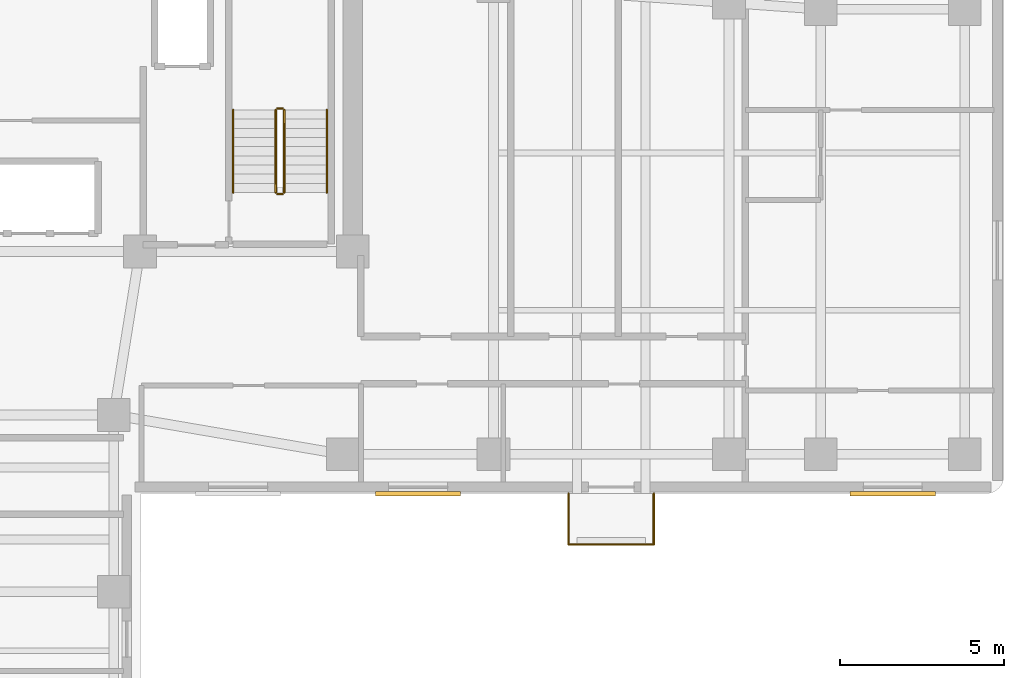
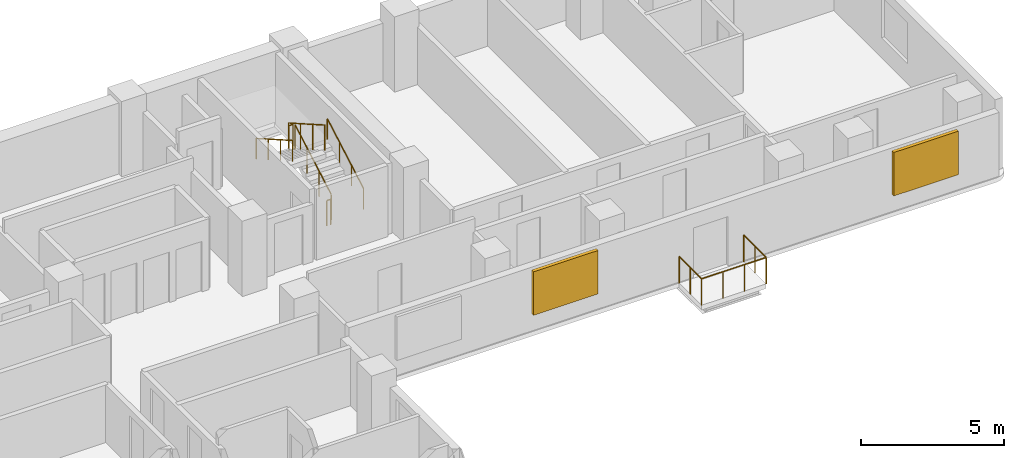
# One storey, part 7 of 7: 9 railings, 2 shading devices.
"""IFC4 building model written with IfcOpenShell, lengths in metres."""

from ifc_helpers import new_model, si_unit, direction, frame, origin, origin_2d, place, context, subcontext, project, spatial, rectangle, circle, extrude, material, layer, layer_set, type_object, element, save


model = new_model("IFC4")

# Units and contexts
model_context = context("Model", 3, precision=1e-05, world=origin(), true_north=direction((0.0, 1.0)))
body_context = subcontext(model_context, "Body", "Model", "MODEL_VIEW")
ifc_project = project(units=[si_unit("LENGTHUNIT", "METRE"), si_unit("AREAUNIT", "SQUARE_METRE"), si_unit("VOLUMEUNIT", "CUBIC_METRE"), si_unit("PLANEANGLEUNIT", "RADIAN"), si_unit("MASSUNIT", "GRAM", prefix="KILO")], contexts=[model_context])

# Site, building, storey
site_placement = place(None, origin())
site = spatial("IfcSite", under=ifc_project, at=site_placement, CompositionType="ELEMENT")
building_placement = place(site_placement, origin())
building = spatial("IfcBuilding", under=site, at=building_placement, Name="Kuzgunbayir Cultural Tower", CompositionType="ELEMENT")
storey_placement = place(building_placement, frame((0.0, 0.0, 145.800048828125)))
storey = spatial("IfcBuildingStorey", under=building, at=storey_placement, Name="L42", CompositionType="ELEMENT", Elevation=145.800048828125)

# Railings
ifc_material_1 = material(Name="Laminated Glass and Stainless Steel", Category="steel")
ifc_layer_1 = layer(ifc_material_1, 0.080078125)
ifc_layer_set_1 = layer_set([ifc_layer_1], Name="Laminated Glass and Stainless Steel")
railing_type_1 = type_object("IfcRailingType", Name="RLG-BAL-115", PredefinedType="BALUSTRADE", material=ifc_layer_set_1)
railing_1_placement = place(storey_placement, frame((33.5, 26.39990234375, 0.0)))
element("IfcRailing", 1, at=railing_1_placement, inside=storey, type_object=railing_type_1, Name="L42 Balcony Guard BAL-L42-WB2 Segment 1", PredefinedType="BALUSTRADE", context=body_context, shape_type="SweptSolid", body=[
    extrude(circle(Radius=0.02392578125, at=origin_2d()), frame((0.0, 0.0, 1.1259765625), z_axis=(0.0, -1.0, 0.0), x_axis=(1.0, 0.0, 0.0)), (0.0, 0.0, 1.0), 1.559814453125),
    extrude(circle(Radius=0.02099609375, at=origin_2d()), origin(), (0.0, 0.0, 1.0), 1.101806640625),
    extrude(circle(Radius=0.02099609375, at=origin_2d()), frame((0.0, -0.77978515625, 0.0)), (0.0, 0.0, 1.0), 1.101806640625),
    extrude(circle(Radius=0.02099609375, at=origin_2d()), frame((0.0, -1.559814453125, 0.0)), (0.0, 0.0, 1.0), 1.101806640625),
])
railing_2_placement = place(storey_placement, frame((33.5, 24.840087890625, 0.0)))
element("IfcRailing", 2, at=railing_2_placement, inside=storey, type_object=railing_type_1, Name="L42 Balcony Guard BAL-L42-WB2 Segment 2", PredefinedType="BALUSTRADE", context=body_context, shape_type="SweptSolid", body=[
    extrude(circle(Radius=0.02392578125, at=origin_2d()), frame((0.0, 0.0, 1.1259765625), z_axis=(1.0, 0.0, 0.0), x_axis=(0.0, 1.0, 0.0)), (0.0, 0.0, 1.0), 2.60009765625),
    extrude(circle(Radius=0.02099609375, at=origin_2d()), origin(), (0.0, 0.0, 1.0), 1.101806640625),
    extrude(circle(Radius=0.02099609375, at=origin_2d()), frame((0.86669921875, 0.0, 0.0)), (0.0, 0.0, 1.0), 1.101806640625),
    extrude(circle(Radius=0.02099609375, at=origin_2d()), frame((1.7333984375, 0.0, 0.0)), (0.0, 0.0, 1.0), 1.101806640625),
    extrude(circle(Radius=0.02099609375, at=origin_2d()), frame((2.60009765625, 0.0, 0.0)), (0.0, 0.0, 1.0), 1.101806640625),
])
railing_3_placement = place(storey_placement, frame((36.10009765625, 24.840087890625, 0.0)))
element("IfcRailing", 3, at=railing_3_placement, inside=storey, type_object=railing_type_1, Name="L42 Balcony Guard BAL-L42-WB2 Segment 3", PredefinedType="BALUSTRADE", context=body_context, shape_type="SweptSolid", body=[
    extrude(circle(Radius=0.02392578125, at=origin_2d()), frame((0.0, 0.0, 1.1259765625), z_axis=(0.0, 1.0, 0.0), x_axis=(-1.0, 0.0, 0.0)), (0.0, 0.0, 1.0), 1.559814453125),
    extrude(circle(Radius=0.02099609375, at=origin_2d()), origin(), (0.0, 0.0, 1.0), 1.101806640625),
    extrude(circle(Radius=0.02099609375, at=origin_2d()), frame((0.0, 0.77978515625, 0.0)), (0.0, 0.0, 1.0), 1.101806640625),
    extrude(circle(Radius=0.02099609375, at=origin_2d()), frame((0.0, 1.559814453125, 0.0)), (0.0, 0.0, 1.0), 1.101806640625),
])
ifc_material_2 = material(Name="Brushed Stainless Steel", Category="steel")
ifc_layer_2 = layer(ifc_material_2, 0.050048828125)
ifc_layer_set_2 = layer_set([ifc_layer_2], Name="Brushed Stainless Steel")
railing_type_2 = type_object("IfcRailingType", Name="RLG-STAIR-HANDRAIL", PredefinedType="HANDRAIL", material=ifc_layer_set_2)
railing_4_placement = place(storey_placement, frame((26.110107421875, 35.60009765625, 0.159912109375)))
element("IfcRailing", 4, at=railing_4_placement, inside=storey, type_object=railing_type_2, Name="L42 ST-2 stair handrail 1", PredefinedType="HANDRAIL", context=body_context, shape_type="SweptSolid", body=[
    extrude(circle(Radius=0.02392578125, at=origin_2d()), frame((0.0, 0.0, 0.8759765625), z_axis=(0.0, 0.868253494771, 0.496120820787), x_axis=(-1.0, 0.0, 0.0)), (0.0, 0.0, 1.0), 2.90234375),
    extrude(circle(Radius=0.02099609375, at=origin_2d()), origin(), (0.0, 0.0, 1.0), 0.851806640625),
    extrude(circle(Radius=0.02099609375, at=origin_2d()), frame((0.0, 0.840087890625, 0.47998046875)), (0.0, 0.0, 1.0), 0.851806640625),
    extrude(circle(Radius=0.02099609375, at=origin_2d()), frame((0.0, 1.679931640625, 0.9599609375)), (0.0, 0.0, 1.0), 0.851806640625),
    extrude(circle(Radius=0.02099609375, at=origin_2d()), frame((0.0, 2.52001953125, 1.43994140625)), (0.0, 0.0, 1.0), 0.851806640625),
])
railing_5_placement = place(storey_placement, frame((23.25, 38.1201171875, 1.760009765625)))
element("IfcRailing", 5, at=railing_5_placement, inside=storey, type_object=railing_type_2, Name="L42 ST-2 stair handrail 2", PredefinedType="HANDRAIL", context=body_context, shape_type="SweptSolid", body=[
    extrude(circle(Radius=0.02392578125, at=origin_2d()), frame((0.0, 0.0, 0.8759765625), z_axis=(0.0, -0.868253494771, 0.496120820787), x_axis=(1.0, 0.0, 0.0)), (0.0, 0.0, 1.0), 2.90234375),
    extrude(circle(Radius=0.02099609375, at=origin_2d()), origin(), (0.0, 0.0, 1.0), 0.851806640625),
    extrude(circle(Radius=0.02099609375, at=origin_2d()), frame((0.0, -0.840087890625, 0.47998046875)), (0.0, 0.0, 1.0), 0.851806640625),
    extrude(circle(Radius=0.02099609375, at=origin_2d()), frame((0.0, -1.679931640625, 0.9599609375)), (0.0, 0.0, 1.0), 0.851806640625),
    extrude(circle(Radius=0.02099609375, at=origin_2d()), frame((0.0, -2.52001953125, 1.43994140625)), (0.0, 0.0, 1.0), 0.851806640625),
])
ifc_material_3 = material(Name="Painted Steel Balustrade", Category="steel")
ifc_layer_3 = layer(ifc_material_3, 0.06005859375)
ifc_layer_set_3 = layer_set([ifc_layer_3], Name="Painted Steel Balustrade")
railing_type_3 = type_object("IfcRailingType", Name="RLG-WELL-GUARD", PredefinedType="GUARDRAIL", material=ifc_layer_set_3)
railing_6_placement = place(storey_placement, frame((24.81005859375, 35.60009765625, 0.159912109375)))
element("IfcRailing", 6, at=railing_6_placement, inside=storey, type_object=railing_type_3, Name="L42 ST-2 stair guard 1", PredefinedType="GUARDRAIL", context=body_context, shape_type="SweptSolid", body=[
    extrude(circle(Radius=0.02392578125, at=origin_2d()), frame((0.0, 0.0, 1.076171875), z_axis=(0.0, 0.868253494771, 0.496120820787), x_axis=(-1.0, 0.0, 0.0)), (0.0, 0.0, 1.0), 2.90234375),
    extrude(circle(Radius=0.02099609375, at=origin_2d()), origin(), (0.0, 0.0, 1.0), 1.052001953125),
    extrude(circle(Radius=0.02099609375, at=origin_2d()), frame((0.0, 0.840087890625, 0.47998046875)), (0.0, 0.0, 1.0), 1.052001953125),
    extrude(circle(Radius=0.02099609375, at=origin_2d()), frame((0.0, 1.679931640625, 0.9599609375)), (0.0, 0.0, 1.0), 1.052001953125),
    extrude(circle(Radius=0.02099609375, at=origin_2d()), frame((0.0, 2.52001953125, 1.43994140625)), (0.0, 0.0, 1.0), 1.052001953125),
])
railing_7_placement = place(storey_placement, frame((24.760009765625, 38.169921875, 1.599853515625)))
element("IfcRailing", 7, at=railing_7_placement, inside=storey, type_object=railing_type_3, Name="L42 ST-2 stair guard 2", PredefinedType="GUARDRAIL", context=body_context, shape_type="SweptSolid", body=[
    extrude(circle(Radius=0.02392578125, at=origin_2d()), frame((0.0, 0.0, 1.076171875), z_axis=(-1.0, 0.0, 0.0), x_axis=(0.0, -1.0, 0.0)), (0.0, 0.0, 1.0), 0.159912109375),
    extrude(circle(Radius=0.02099609375, at=origin_2d()), origin(), (0.0, 0.0, 1.0), 1.052001953125),
    extrude(circle(Radius=0.02099609375, at=origin_2d()), frame((-0.159912109375, 0.0, 0.0)), (0.0, 0.0, 1.0), 1.052001953125),
])
railing_8_placement = place(storey_placement, frame((24.550048828125, 38.1201171875, 1.760009765625)))
element("IfcRailing", 8, at=railing_8_placement, inside=storey, type_object=railing_type_3, Name="L42 ST-2 stair guard 3", PredefinedType="GUARDRAIL", context=body_context, shape_type="SweptSolid", body=[
    extrude(circle(Radius=0.02392578125, at=origin_2d()), frame((0.0, 0.0, 1.076171875), z_axis=(0.0, -0.868253494771, 0.496120820787), x_axis=(1.0, 0.0, 0.0)), (0.0, 0.0, 1.0), 2.90234375),
    extrude(circle(Radius=0.02099609375, at=origin_2d()), origin(), (0.0, 0.0, 1.0), 1.052001953125),
    extrude(circle(Radius=0.02099609375, at=origin_2d()), frame((0.0, -0.840087890625, 0.47998046875)), (0.0, 0.0, 1.0), 1.052001953125),
    extrude(circle(Radius=0.02099609375, at=origin_2d()), frame((0.0, -1.679931640625, 0.9599609375)), (0.0, 0.0, 1.0), 1.052001953125),
    extrude(circle(Radius=0.02099609375, at=origin_2d()), frame((0.0, -2.52001953125, 1.43994140625)), (0.0, 0.0, 1.0), 1.052001953125),
])
railing_9_placement = place(storey_placement, frame((24.760009765625, 35.550048828125, 0.0)))
element("IfcRailing", 9, at=railing_9_placement, inside=storey, type_object=railing_type_3, Name="L42 ST-2 stair guard 4", PredefinedType="GUARDRAIL", context=body_context, shape_type="SweptSolid", body=[
    extrude(circle(Radius=0.02392578125, at=origin_2d()), frame((0.0, 0.0, 1.076171875), z_axis=(-1.0, 0.0, 0.0), x_axis=(0.0, -1.0, 0.0)), (0.0, 0.0, 1.0), 0.159912109375),
    extrude(circle(Radius=0.02099609375, at=origin_2d()), origin(), (0.0, 0.0, 1.0), 1.052001953125),
    extrude(circle(Radius=0.02099609375, at=origin_2d()), frame((-0.159912109375, 0.0, 0.0)), (0.0, 0.0, 1.0), 1.052001953125),
])

# Shading devices
ifc_material_4 = material(Name="Perforated Bronze-Anodised Aluminium", Category="aluminium")
shading_device_type = type_object("IfcShadingDeviceType", Name="SHD-SOLAR-BRONZE", PredefinedType="JALOUSIE", material=ifc_material_4)
for number, where, z_axis, x_axis, name in (
    (10, (28.89990234375, 26.39990234375, 0.73486328125), (0.0, 0.0, 1.0), (1.0, 0.0, 0.0), "L42 Solar Screen WBS12"),
    (11, (43.39990234375, 26.39990234375, 0.73486328125), (0.0, 0.0, 1.0), (1.0, 0.0, 0.0), "L42 Solar Screen WBS13"),
):
    element("IfcShadingDevice", number, at=place(storey_placement, frame(where, z_axis=z_axis, x_axis=x_axis)), inside=storey, type_object=shading_device_type, Name=name, PredefinedType="JALOUSIE", context=body_context, shape_type="SweptSolid", body=[
        extrude(rectangle(XDim=2.60009765625, YDim=0.139892578125, at=origin_2d()), origin(), (0.0, 0.0, 1.0), 1.85009765625),
    ])

save(model, "model.ifc")
